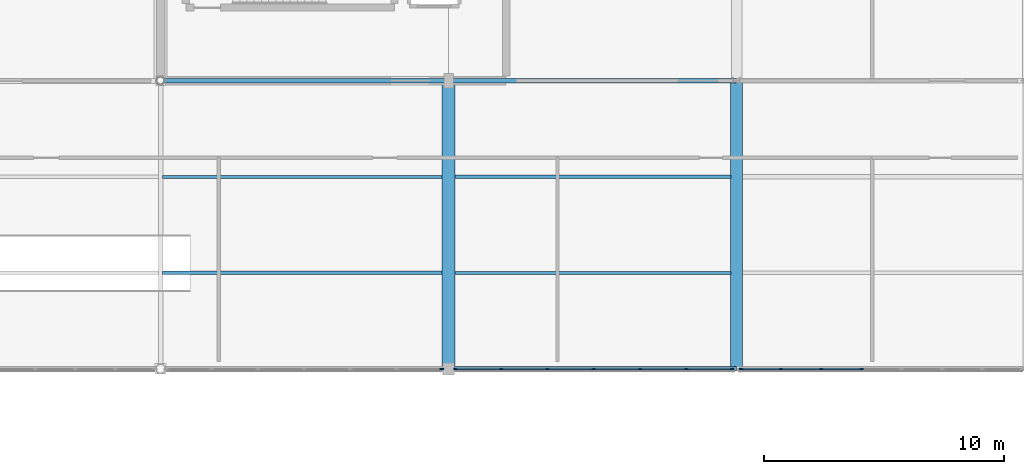
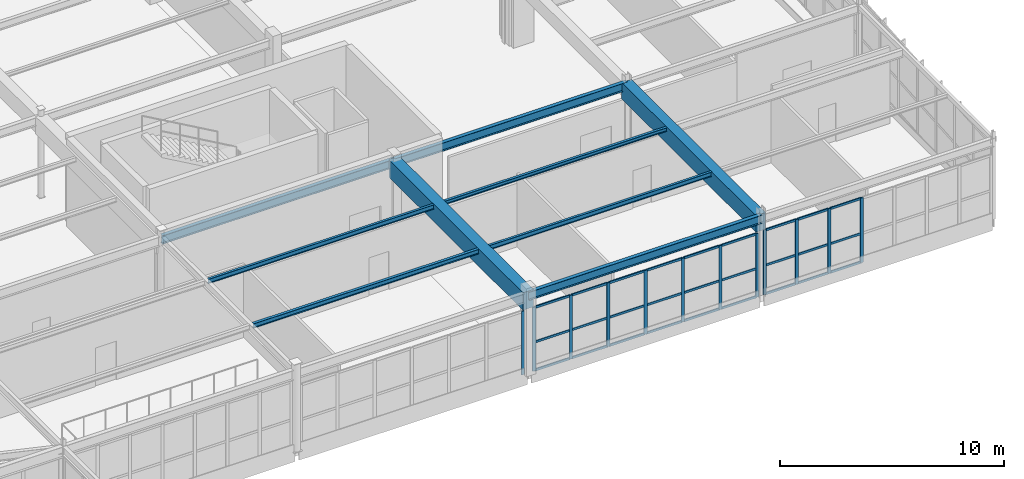
# One storey, part 123 of 226: 39 members, 9 beams, 3 elements without a shape of their own.
"""IFC4 building model written with IfcOpenShell, lengths in metres."""

import ifcopenshell
import ifcopenshell.guid

model = None  # the IFC model being written
_history = None  # IfcOwnerHistory: only IFC2X3 demands one
_inside = {}  # id of a spatial element -> (the spatial element, [elements in it])
_under = {}  # id of a project, library or spatial element -> (it, [spatial elements below it])
_declared = {}  # id of a project -> (the project, [libraries it declares])
_typed = {}  # id of a type object -> (the type object, [elements of that type])
_made_of = {}  # id of a material, layer set ... -> (it, [elements and type objects made of it])


def new_model(schema):
    """Start an empty IFC model of exactly this schema.

    Asked for "IFC4X3", IfcOpenShell would pick the latest addendum, in which some entities
    have other attributes; the version numbers below select the first issue.
    IFC2X3 requires an IfcOwnerHistory on every rooted entity: one is made here for all.
    """
    global model, _history
    if schema == "IFC4X3":
        model = ifcopenshell.file(schema_version=(4, 3, 0, 0))
    else:
        model = ifcopenshell.file(schema=schema)
    _inside.clear()
    _under.clear()
    _declared.clear()
    _typed.clear()
    _made_of.clear()
    _history = None
    if model.schema == "IFC2X3":
        org = make("IfcOrganization", Name="unknown")
        user = make(
            "IfcPersonAndOrganization",
            ThePerson=make("IfcPerson", FamilyName="unknown"),
            TheOrganization=org,
        )
        app = make(
            "IfcApplication",
            ApplicationDeveloper=org,
            Version="unknown",
            ApplicationFullName="unknown",
            ApplicationIdentifier="unknown",
        )
        _history = make(
            "IfcOwnerHistory",
            OwningUser=user,
            OwningApplication=app,
            ChangeAction="ADDED",
            CreationDate=0,
        )
    return model


def make(cls, **values):
    """One entity of the class cls with the attributes given. An attribute that is None is left unset."""
    return model.create_entity(
        cls, **{name: value for name, value in values.items() if value is not None}
    )


def rooted(cls, **values):
    """An entity with a GlobalId (a new one), such as an element, a storey or a relation."""
    return make(cls, GlobalId=ifcopenshell.guid.new(), OwnerHistory=_history, **values)


def si_unit(unit_type, name, prefix=None):
    """IfcSIUnit, for example si_unit("LENGTHUNIT", "METRE", prefix="MILLI")."""
    return make("IfcSIUnit", UnitType=unit_type, Prefix=prefix, Name=name)


def assignment(units):
    """IfcUnitAssignment: the units of a project."""
    return None if units is None else make("IfcUnitAssignment", Units=units)


def point(xyz):
    """IfcCartesianPoint."""
    return None if xyz is None else make("IfcCartesianPoint", Coordinates=xyz)


def direction(xyz):
    """IfcDirection."""
    return None if xyz is None else make("IfcDirection", DirectionRatios=xyz)


def frame(location, z_axis=None, x_axis=None):
    """IfcAxis2Placement3D, a coordinate frame: its origin and axes. An axis left out is left unset."""
    return make(
        "IfcAxis2Placement3D",
        Location=point(location),
        Axis=direction(z_axis),
        RefDirection=direction(x_axis),
    )


def frame_2d(location, x_axis=None):
    """IfcAxis2Placement2D, a coordinate frame in the plane: its origin and x axis."""
    return make(
        "IfcAxis2Placement2D", Location=point(location), RefDirection=direction(x_axis)
    )


def origin():
    """The frame at (0, 0, 0) with its axes left unset."""
    return frame((0.0, 0.0, 0.0))


def origin_2d():
    """The frame at (0, 0) in the plane with its x axis left unset."""
    return frame_2d((0.0, 0.0))


def place(relative_to, where):
    """IfcLocalPlacement: puts the frame where relative to a parent placement (None: the world)."""
    return make(
        "IfcLocalPlacement", PlacementRelTo=relative_to, RelativePlacement=where
    )


def context(
    kind, dimensions, precision=None, world=None, true_north=None, identifier=None
):
    """IfcGeometricRepresentationContext, for example the 3D "Model" context."""
    return make(
        "IfcGeometricRepresentationContext",
        ContextIdentifier=identifier,
        ContextType=kind,
        CoordinateSpaceDimension=dimensions,
        Precision=precision,
        WorldCoordinateSystem=world,
        TrueNorth=true_north,
    )


def subcontext(parent, identifier, kind, view, scale=None):
    """IfcGeometricRepresentationSubContext, for example "Body" below "Model"."""
    return make(
        "IfcGeometricRepresentationSubContext",
        ContextIdentifier=identifier,
        ContextType=kind,
        ParentContext=parent,
        TargetScale=scale,
        TargetView=view,
    )


def project(units=None, contexts=None):
    """IfcProject with its units and contexts."""
    return rooted(
        "IfcProject",
        Name="project",
        RepresentationContexts=contexts,
        UnitsInContext=assignment(units),
    )


def spatial(cls, under=None, at=None, **own):
    """A site, building, storey or space (cls), placed at a placement, below another one or the project."""
    s = rooted(cls, ObjectPlacement=at, **own)
    if under is not None:
        _under.setdefault(under.id(), (under, []))[1].append(s)
    return s


def profile(cls, at=None, kind="AREA", **sizes):
    """A parametric profile (cls). Its sizes go by their IFC names, for example OverallWidth=200.0."""
    return make(cls, ProfileType=kind, Position=at, **sizes)


def rectangle(**sizes):
    """IfcRectangleProfileDef."""
    return profile("IfcRectangleProfileDef", **sizes)


def i_section(**sizes):
    """IfcIShapeProfileDef."""
    return profile("IfcIShapeProfileDef", **sizes)


def extrude(swept, where, along, depth):
    """IfcExtrudedAreaSolid: the profile swept, set in the frame where, extruded along a direction by depth."""
    return make(
        "IfcExtrudedAreaSolid",
        SweptArea=swept,
        Position=where,
        ExtrudedDirection=direction(along),
        Depth=depth,
    )


def shape(context_of_items, identifier, shape_type, items):
    """IfcShapeRepresentation: the items that make up one representation, for example the "Body"."""
    return make(
        "IfcShapeRepresentation",
        ContextOfItems=context_of_items,
        RepresentationIdentifier=identifier,
        RepresentationType=shape_type,
        Items=items,
    )


def material(Name=None, Category=None):
    """IfcMaterial."""
    return make("IfcMaterial", Name=Name, Category=Category)


def layer(
    of_material, thickness, ventilated=None, Name=None, Category=None, Priority=None
):
    """IfcMaterialLayer: one layer of a wall or slab, of a material (None: an air gap)."""
    return make(
        "IfcMaterialLayer",
        Material=of_material,
        LayerThickness=thickness,
        IsVentilated=ventilated,
        Name=Name,
        Category=Category,
        Priority=Priority,
    )


def layer_set(layers, Name=None):
    """IfcMaterialLayerSet."""
    return make("IfcMaterialLayerSet", MaterialLayers=layers, LayerSetName=Name)


def material_profile(
    of_material, cross_section, Name=None, Category=None, Priority=None
):
    """IfcMaterialProfile: a cross section and its material."""
    return make(
        "IfcMaterialProfile",
        Name=Name,
        Material=of_material,
        Profile=cross_section,
        Priority=Priority,
        Category=Category,
    )


def profile_set(profiles, Name=None, composite=None):
    """IfcMaterialProfileSet."""
    return make(
        "IfcMaterialProfileSet",
        Name=Name,
        MaterialProfiles=profiles,
        CompositeProfile=composite,
    )


def made_of(thing, what):
    """Note that an element or type object is made of a material, layer set ...; save() writes the relation."""
    if what is not None:
        _made_of.setdefault(what.id(), (what, []))[1].append(thing)
    return thing


def type_object(cls, material=None, **own):
    """A type object (cls), such as IfcWallType, which elements share."""
    return made_of(rooted(cls, **own), material)


def element(
    cls,
    number,
    at=None,
    inside=None,
    cuts=None,
    type_object=None,
    material=None,
    context=None,
    identifier="Body",
    shape_type=None,
    held_by="IfcProductDefinitionShape",
    body=None,
    shapes=None,
    **own,
):
    """One element of the class cls, such as IfcWall. Its Tag is "e" and its number.

    at: its placement. inside: the storey or other place that contains it. cuts: it is an
    opening in that element (IfcRelVoidsElement). A single representation is given by context,
    identifier, shape_type and body (its items); several are given by shapes. held_by: the class
    of the entity that holds the representations. save() writes the other relations.
    """
    e = rooted(cls, Tag="e%d" % number, ObjectPlacement=at, **own)
    if body is not None:
        shapes = [shape(context, identifier, shape_type, body)]
    if shapes is not None:
        e.Representation = make(held_by, Representations=shapes)
    if inside is not None:
        _inside.setdefault(inside.id(), (inside, []))[1].append(e)
    if cuts is not None:
        rooted(
            "IfcRelVoidsElement", RelatingBuildingElement=cuts, RelatedOpeningElement=e
        )
    if type_object is not None:
        _typed.setdefault(type_object.id(), (type_object, []))[1].append(e)
    return made_of(e, material)


def aggregate(whole, parts):
    """IfcRelAggregates: a whole, such as a stair, and the parts it consists of."""
    return rooted("IfcRelAggregates", RelatingObject=whole, RelatedObjects=parts)


def save(model, path):
    """Write the relations noted so far, then the file.

    IfcRelAggregates (storeys below a building ...), IfcRelContainedInSpatialStructure (elements
    in a storey), IfcRelDefinesByType, IfcRelAssociatesMaterial and IfcRelDeclares: one each for
    every whole, place, type object, material and project.
    """
    for whole, parts in _under.values():
        aggregate(whole, parts)
    for where, things in _inside.values():
        rooted(
            "IfcRelContainedInSpatialStructure",
            RelatedElements=things,
            RelatingStructure=where,
        )
    for kind, things in _typed.values():
        rooted("IfcRelDefinesByType", RelatedObjects=things, RelatingType=kind)
    for what, things in _made_of.values():
        rooted("IfcRelAssociatesMaterial", RelatedObjects=things, RelatingMaterial=what)
    for by, libraries in _declared.values():
        rooted("IfcRelDeclares", RelatingContext=by, RelatedDefinitions=libraries)
    model.write(path)


model = new_model("IFC4")

# Units and contexts
model_context = context("Model", 3, precision=1e-05, world=origin(), true_north=direction((0.0, 1.0)))
body_context = subcontext(model_context, "Body", "Model", "MODEL_VIEW")
ifc_project = project(units=[si_unit("LENGTHUNIT", "METRE"), si_unit("AREAUNIT", "SQUARE_METRE"), si_unit("VOLUMEUNIT", "CUBIC_METRE"), si_unit("PLANEANGLEUNIT", "RADIAN"), si_unit("MASSUNIT", "GRAM", prefix="KILO")], contexts=[model_context])

# Site, building, storey
site_placement = place(None, origin())
site = spatial("IfcSite", under=ifc_project, at=site_placement, CompositionType="ELEMENT")
building_placement = place(site_placement, origin())
building = spatial("IfcBuilding", under=site, at=building_placement, Name="Tarnwether General Hospital", CompositionType="ELEMENT")
storey_placement = place(building_placement, frame((0.0, 0.0, 4.800048828125)))
storey = spatial("IfcBuildingStorey", under=building, at=storey_placement, Name="L01", CompositionType="ELEMENT", Elevation=4.800048828125)

# Beams
ifc_material_1 = material(Name="Steel Grade 350 (350 MPa)", Category="steel")
ifc_material_profile_1 = material_profile(ifc_material_1, i_section(OverallWidth=0.19091796875, OverallDepth=0.4599609375, WebThickness=0.010009765625, FlangeThickness=0.01611328125, at=origin_2d()), Name="460UB82.1")
ifc_profile_set_1 = profile_set([ifc_material_profile_1], Name="Steel Grade 350 (350 MPa)")
beam_type_1 = type_object("IfcBeamType", Name="BM-G08", PredefinedType="BEAM", material=ifc_profile_set_1)
for number, where, z_axis, x_axis, name in (
    (1, (156.0, 93.60009765625, 4.21484375), (1.0, 0.0, 0.0), (0.0, 1.0, 0.0), "Primary Girder BMG-L01-15600_9360-16800_9360-1242"),
    (2, (168.0, 81.60009765625, 4.21484375), (1.0, 0.0, 0.0), (0.0, 1.0, 0.0), "Primary Girder BMG-L01-16800_8160-18000_8160-1257"),
):
    element("IfcBeam", number, at=place(storey_placement, frame(where, z_axis=z_axis, x_axis=x_axis)), inside=storey, type_object=beam_type_1, Name=name, PredefinedType="BEAM", context=body_context, shape_type="SweptSolid", body=[
        extrude(i_section(OverallWidth=0.19091796875, OverallDepth=0.4599609375, WebThickness=0.010009765625, FlangeThickness=0.01611328125, at=origin_2d()), origin(), (0.0, 0.0, 1.0), 12.0),
    ])
ifc_material_2 = material(Name="Steel Grade 350 (350 MPa)", Category="steel")
ifc_material_profile_2 = material_profile(ifc_material_2, i_section(OverallWidth=0.18994140625, OverallDepth=0.45703125, WebThickness=0.009033203125, FlangeThickness=0.014404296875, at=origin_2d()), Name="460UB74.6")
ifc_profile_set_2 = profile_set([ifc_material_profile_2], Name="Steel Grade 350 (350 MPa)")
beam_type_2 = type_object("IfcBeamType", Name="BM-G09", PredefinedType="BEAM", material=ifc_profile_set_2)
beam_1_placement = place(storey_placement, frame((168.0, 93.60009765625, 4.216552734375), z_axis=(1.0, 0.0, 0.0), x_axis=(0.0, 1.0, 0.0)))
element("IfcBeam", 3, at=beam_1_placement, inside=storey, type_object=beam_type_2, Name="Primary Girder BMG-L01-16800_9360-18000_9360-1259", PredefinedType="BEAM", context=body_context, shape_type="SweptSolid", body=[
    extrude(i_section(OverallWidth=0.18994140625, OverallDepth=0.45703125, WebThickness=0.009033203125, FlangeThickness=0.014404296875, at=origin_2d()), origin(), (0.0, 0.0, 1.0), 12.0),
])
ifc_material_3 = material(Name="Concrete 40 MPa", Category="concrete")
ifc_material_profile_3 = material_profile(ifc_material_3, rectangle(XDim=0.550048828125, YDim=0.949951171875, at=origin_2d()), Name="RC-BM-550x950")
ifc_profile_set_3 = profile_set([ifc_material_profile_3], Name="Concrete 40 MPa")
beam_type_3 = type_object("IfcBeamType", Name="BM-G11", PredefinedType="BEAM", material=ifc_profile_set_3)
beam_2_placement = place(storey_placement, frame((168.0, 81.60009765625, 3.969970703125), z_axis=(0.0, 1.0, 0.0), x_axis=(-1.0, 0.0, 0.0)))
element("IfcBeam", 4, at=beam_2_placement, inside=storey, type_object=beam_type_3, Name="Primary Girder BMG-L01-16800_8160-16800_9360-1258", PredefinedType="BEAM", context=body_context, shape_type="SweptSolid", body=[
    extrude(rectangle(XDim=0.550048828125, YDim=0.949951171875, at=origin_2d()), origin(), (0.0, 0.0, 1.0), 12.0),
])
ifc_material_4 = material(Name="Concrete 40 MPa", Category="concrete")
ifc_material_profile_4 = material_profile(ifc_material_4, rectangle(XDim=0.5, YDim=0.89990234375, at=origin_2d()), Name="RC-BM-500x900")
ifc_profile_set_4 = profile_set([ifc_material_profile_4], Name="Concrete 40 MPa")
beam_type_4 = type_object("IfcBeamType", Name="BM-G12", PredefinedType="BEAM", material=ifc_profile_set_4)
beam_3_placement = place(storey_placement, frame((180.0, 81.60009765625, 3.994873046875), z_axis=(0.0, 1.0, 0.0), x_axis=(-1.0, 0.0, 0.0)))
element("IfcBeam", 5, at=beam_3_placement, inside=storey, type_object=beam_type_4, Name="Primary Girder BMG-L01-18000_8160-18000_9360-1275", PredefinedType="BEAM", context=body_context, shape_type="SweptSolid", body=[
    extrude(rectangle(XDim=0.5, YDim=0.89990234375, at=origin_2d()), origin(), (0.0, 0.0, 1.0), 12.0),
])
ifc_material_5 = material(Name="Steel Grade 350 (350 MPa)", Category="steel")
ifc_material_profile_5 = material_profile(ifc_material_5, i_section(OverallWidth=0.14599609375, OverallDepth=0.251953125, WebThickness=0.006103515625, FlangeThickness=0.008544921875, at=origin_2d()), Name="250UB31.4")
ifc_profile_set_5 = profile_set([ifc_material_profile_5], Name="Steel Grade 350 (350 MPa)")
beam_type_5 = type_object("IfcBeamType", Name="BM-J10", PredefinedType="JOIST", material=ifc_profile_set_5)
beam_4_placement = place(storey_placement, frame((156.089111328125, 85.60009765625, 4.31884765625), z_axis=(1.0, 0.0, 0.0), x_axis=(0.0, 1.0, 0.0)))
element("IfcBeam", 6, at=beam_4_placement, inside=storey, type_object=beam_type_5, Name="Composite Floor Joist BMG-L01-15609_8560-16773_8560-1407", PredefinedType="JOIST", context=body_context, shape_type="SweptSolid", body=[
    extrude(i_section(OverallWidth=0.14599609375, OverallDepth=0.251953125, WebThickness=0.006103515625, FlangeThickness=0.008544921875, at=origin_2d()), origin(), (0.0, 0.0, 1.0), 11.641845703125),
])
ifc_material_6 = material(Name="Steel Grade 350 (350 MPa)", Category="steel")
ifc_material_profile_6 = material_profile(ifc_material_6, i_section(OverallWidth=0.1240234375, OverallDepth=0.248046875, WebThickness=0.0048828125, FlangeThickness=0.008056640625, at=origin_2d()), Name="250UB25.7")
ifc_profile_set_6 = profile_set([ifc_material_profile_6], Name="Steel Grade 350 (350 MPa)")
beam_type_6 = type_object("IfcBeamType", Name="BM-J11", PredefinedType="JOIST", material=ifc_profile_set_6)
beam_5_placement = place(storey_placement, frame((156.089111328125, 89.60009765625, 4.321044921875), z_axis=(1.0, 0.0, 0.0), x_axis=(0.0, 1.0, 0.0)))
element("IfcBeam", 7, at=beam_5_placement, inside=storey, type_object=beam_type_6, Name="Composite Floor Joist BMG-L01-15609_8960-16773_8960-1408", PredefinedType="JOIST", context=body_context, shape_type="SweptSolid", body=[
    extrude(i_section(OverallWidth=0.1240234375, OverallDepth=0.248046875, WebThickness=0.0048828125, FlangeThickness=0.008056640625, at=origin_2d()), origin(), (0.0, 0.0, 1.0), 11.641845703125),
])
beam_6_placement = place(storey_placement, frame((168.26904296875, 85.60009765625, 4.321044921875), z_axis=(1.0, 0.0, 0.0), x_axis=(0.0, 1.0, 0.0)))
element("IfcBeam", 8, at=beam_6_placement, inside=storey, type_object=beam_type_6, Name="Composite Floor Joist BMG-L01-16827_8560-17976_8560-1419", PredefinedType="JOIST", context=body_context, shape_type="SweptSolid", body=[
    extrude(i_section(OverallWidth=0.1240234375, OverallDepth=0.248046875, WebThickness=0.0048828125, FlangeThickness=0.008056640625, at=origin_2d()), origin(), (0.0, 0.0, 1.0), 11.487060546875),
])
ifc_material_7 = material(Name="Steel Grade 350 (350 MPa)", Category="steel")
ifc_material_profile_7 = material_profile(ifc_material_7, i_section(OverallWidth=0.134033203125, OverallDepth=0.20703125, WebThickness=0.00634765625, FlangeThickness=0.009521484375, at=origin_2d()), Name="200UB29.8")
ifc_profile_set_7 = profile_set([ifc_material_profile_7], Name="Steel Grade 350 (350 MPa)")
beam_type_7 = type_object("IfcBeamType", Name="BM-J12", PredefinedType="JOIST", material=ifc_profile_set_7)
beam_7_placement = place(storey_placement, frame((168.26904296875, 89.60009765625, 4.341552734375), z_axis=(1.0, 0.0, 0.0), x_axis=(0.0, 1.0, 0.0)))
element("IfcBeam", 9, at=beam_7_placement, inside=storey, type_object=beam_type_7, Name="Composite Floor Joist BMG-L01-16827_8960-17976_8960-1420", PredefinedType="JOIST", context=body_context, shape_type="SweptSolid", body=[
    extrude(i_section(OverallWidth=0.134033203125, OverallDepth=0.20703125, WebThickness=0.00634765625, FlangeThickness=0.009521484375, at=origin_2d()), origin(), (0.0, 0.0, 1.0), 11.487060546875),
])

# Curtain wall, members
ifc_material_8 = material(Name="Anodised aluminium", Category="aluminium")
ifc_layer = layer(ifc_material_8, 0.159912109375)
ifc_layer_set = layer_set([ifc_layer], Name="Anodised aluminium")
curtain_wall_type = type_object("IfcCurtainWallType", Name="CW-17", PredefinedType="NOTDEFINED", material=ifc_layer_set)
curtain_wall_1_placement = place(storey_placement, origin())
curtain_wall_1 = element("IfcCurtainWall", 10, at=curtain_wall_1_placement, inside=storey, type_object=curtain_wall_type, Name="Curtain Wall CWG-L01-1919_816-0393", PredefinedType="NOTDEFINED")
ifc_material_9 = material(Name="Anodised aluminium", Category="aluminium")
ifc_material_profile_8 = material_profile(ifc_material_9, rectangle(XDim=0.06005859375, YDim=0.159912109375, at=origin_2d()), Name="ALU-MUL-60x160")
ifc_profile_set_8 = profile_set([ifc_material_profile_8], Name="Anodised aluminium")
member_type_1 = type_object("IfcMemberType", Name="CW-ML1", PredefinedType="MULLION", material=ifc_profile_set_8)
member_1_placement = place(storey_placement, frame((185.20166015625, 81.60009765625, 0.0), z_axis=(0.0, 0.0, 1.0), x_axis=(0.0, -1.0, 0.0)))
member_1 = element("IfcMember", 11, at=member_1_placement, type_object=member_type_1, Name="CW-17 mullion 5", PredefinedType="MULLION", context=body_context, shape_type="SweptSolid", body=[
    extrude(rectangle(XDim=0.06005859375, YDim=0.159912109375, at=origin_2d()), origin(), (0.0, 0.0, 1.0), 3.530029296875),
])
member_2_placement = place(storey_placement, frame((183.523193359375, 81.60009765625, 0.0), z_axis=(0.0, 0.0, 1.0), x_axis=(0.0, -1.0, 0.0)))
member_2 = element("IfcMember", 12, at=member_2_placement, type_object=member_type_1, Name="CW-17 mullion 6", PredefinedType="MULLION", context=body_context, shape_type="SweptSolid", body=[
    extrude(rectangle(XDim=0.06005859375, YDim=0.159912109375, at=origin_2d()), origin(), (0.0, 0.0, 1.0), 3.530029296875),
])
member_3_placement = place(storey_placement, frame((181.844482421875, 81.60009765625, 0.0), z_axis=(0.0, 0.0, 1.0), x_axis=(0.0, -1.0, 0.0)))
member_3 = element("IfcMember", 13, at=member_3_placement, type_object=member_type_1, Name="CW-17 mullion 7", PredefinedType="MULLION", context=body_context, shape_type="SweptSolid", body=[
    extrude(rectangle(XDim=0.06005859375, YDim=0.159912109375, at=origin_2d()), origin(), (0.0, 0.0, 1.0), 3.530029296875),
])
member_4_placement = place(storey_placement, frame((180.196044921875, 81.60009765625, 0.0), z_axis=(0.0, 0.0, 1.0), x_axis=(0.0, -1.0, 0.0)))
member_4 = element("IfcMember", 14, at=member_4_placement, type_object=member_type_1, Name="CW-17 mullion 8", PredefinedType="MULLION", context=body_context, shape_type="SweptSolid", body=[
    extrude(rectangle(XDim=0.06005859375, YDim=0.159912109375, at=origin_2d()), origin(), (0.0, 0.0, 1.0), 3.530029296875),
])

curtain_wall_2_placement = place(storey_placement, origin())
curtain_wall_2 = element("IfcCurtainWall", 15, at=curtain_wall_2_placement, inside=storey, type_object=curtain_wall_type, Name="Curtain Wall CWG-L01-1798_816-0394", PredefinedType="NOTDEFINED")
member_5_placement = place(storey_placement, frame((179.803955078125, 81.60009765625, 0.0), z_axis=(0.0, 0.0, 1.0), x_axis=(0.0, -1.0, 0.0)))
member_5 = element("IfcMember", 16, at=member_5_placement, type_object=member_type_1, Name="CW-17 mullion 1", PredefinedType="MULLION", context=body_context, shape_type="SweptSolid", body=[
    extrude(rectangle(XDim=0.06005859375, YDim=0.159912109375, at=origin_2d()), origin(), (0.0, 0.0, 1.0), 3.47998046875),
])
member_6_placement = place(storey_placement, frame((177.90478515625, 81.60009765625, 0.0), z_axis=(0.0, 0.0, 1.0), x_axis=(0.0, -1.0, 0.0)))
member_6 = element("IfcMember", 17, at=member_6_placement, type_object=member_type_1, Name="CW-17 mullion 2", PredefinedType="MULLION", context=body_context, shape_type="SweptSolid", body=[
    extrude(rectangle(XDim=0.06005859375, YDim=0.159912109375, at=origin_2d()), origin(), (0.0, 0.0, 1.0), 3.47998046875),
])
member_7_placement = place(storey_placement, frame((175.975341796875, 81.60009765625, 0.0), z_axis=(0.0, 0.0, 1.0), x_axis=(0.0, -1.0, 0.0)))
member_7 = element("IfcMember", 18, at=member_7_placement, type_object=member_type_1, Name="CW-17 mullion 3", PredefinedType="MULLION", context=body_context, shape_type="SweptSolid", body=[
    extrude(rectangle(XDim=0.06005859375, YDim=0.159912109375, at=origin_2d()), origin(), (0.0, 0.0, 1.0), 3.47998046875),
])
member_8_placement = place(storey_placement, frame((174.0458984375, 81.60009765625, 0.0), z_axis=(0.0, 0.0, 1.0), x_axis=(0.0, -1.0, 0.0)))
member_8 = element("IfcMember", 19, at=member_8_placement, type_object=member_type_1, Name="CW-17 mullion 4", PredefinedType="MULLION", context=body_context, shape_type="SweptSolid", body=[
    extrude(rectangle(XDim=0.06005859375, YDim=0.159912109375, at=origin_2d()), origin(), (0.0, 0.0, 1.0), 3.47998046875),
])
member_9_placement = place(storey_placement, frame((172.11669921875, 81.60009765625, 0.0), z_axis=(0.0, 0.0, 1.0), x_axis=(0.0, -1.0, 0.0)))
member_9 = element("IfcMember", 20, at=member_9_placement, type_object=member_type_1, Name="CW-17 mullion 5", PredefinedType="MULLION", context=body_context, shape_type="SweptSolid", body=[
    extrude(rectangle(XDim=0.06005859375, YDim=0.159912109375, at=origin_2d()), origin(), (0.0, 0.0, 1.0), 3.47998046875),
])
member_10_placement = place(storey_placement, frame((170.187255859375, 81.60009765625, 0.0), z_axis=(0.0, 0.0, 1.0), x_axis=(0.0, -1.0, 0.0)))
member_10 = element("IfcMember", 21, at=member_10_placement, type_object=member_type_1, Name="CW-17 mullion 6", PredefinedType="MULLION", context=body_context, shape_type="SweptSolid", body=[
    extrude(rectangle(XDim=0.06005859375, YDim=0.159912109375, at=origin_2d()), origin(), (0.0, 0.0, 1.0), 3.47998046875),
])
member_11_placement = place(storey_placement, frame((168.2880859375, 81.60009765625, 0.0), z_axis=(0.0, 0.0, 1.0), x_axis=(0.0, -1.0, 0.0)))
member_11 = element("IfcMember", 22, at=member_11_placement, type_object=member_type_1, Name="CW-17 mullion 7", PredefinedType="MULLION", context=body_context, shape_type="SweptSolid", body=[
    extrude(rectangle(XDim=0.06005859375, YDim=0.159912109375, at=origin_2d()), origin(), (0.0, 0.0, 1.0), 3.47998046875),
])

# Curtain wall, member
curtain_wall_3_placement = place(storey_placement, origin())
curtain_wall_3 = element("IfcCurtainWall", 23, at=curtain_wall_3_placement, inside=storey, type_object=curtain_wall_type, Name="Curtain Wall CWG-L01-1677_816-0395", PredefinedType="NOTDEFINED")
member_12_placement = place(storey_placement, frame((167.7119140625, 81.60009765625, 0.0), z_axis=(0.0, 0.0, 1.0), x_axis=(0.0, -1.0, 0.0)))
member_12 = element("IfcMember", 24, at=member_12_placement, type_object=member_type_1, Name="CW-17 mullion 1", PredefinedType="MULLION", context=body_context, shape_type="SweptSolid", body=[
    extrude(rectangle(XDim=0.06005859375, YDim=0.159912109375, at=origin_2d()), origin(), (0.0, 0.0, 1.0), 3.47998046875),
])
aggregate(curtain_wall_3, [member_12])

# Member
ifc_material_10 = material(Name="Anodised aluminium", Category="aluminium")
ifc_material_profile_9 = material_profile(ifc_material_10, rectangle(XDim=0.06005859375, YDim=0.1201171875, at=origin_2d()), Name="ALU-TRN-60x120")
ifc_profile_set_9 = profile_set([ifc_material_profile_9], Name="Anodised aluminium")
member_type_2 = type_object("IfcMemberType", Name="CW-TR1", PredefinedType="USERDEFINED", material=ifc_profile_set_9)
member_13_placement = place(storey_placement, frame((185.171630859375, 81.60009765625, 0.030029296875), z_axis=(-1.0, 0.0, 0.0), x_axis=(0.0, -1.0, 0.0)))
member_13 = element("IfcMember", 25, at=member_13_placement, type_object=member_type_2, Name="CW-17 transom 5.1", ObjectType="TRANSOM", PredefinedType="USERDEFINED", context=body_context, shape_type="SweptSolid", body=[
    extrude(rectangle(XDim=0.06005859375, YDim=0.1201171875, at=origin_2d()), origin(), (0.0, 0.0, 1.0), 1.618408203125),
])

member_14_placement = place(storey_placement, frame((185.171630859375, 81.60009765625, 1.58837890625), z_axis=(-1.0, 0.0, 0.0), x_axis=(0.0, -1.0, 0.0)))
member_14 = element("IfcMember", 26, at=member_14_placement, type_object=member_type_2, Name="CW-17 transom 5.2", ObjectType="TRANSOM", PredefinedType="USERDEFINED", context=body_context, shape_type="SweptSolid", body=[
    extrude(rectangle(XDim=0.06005859375, YDim=0.1201171875, at=origin_2d()), origin(), (0.0, 0.0, 1.0), 1.618408203125),
])

member_15_placement = place(storey_placement, frame((185.171630859375, 81.60009765625, 3.5), z_axis=(-1.0, 0.0, 0.0), x_axis=(0.0, -1.0, 0.0)))
member_15 = element("IfcMember", 27, at=member_15_placement, type_object=member_type_2, Name="CW-17 transom 5.3", ObjectType="TRANSOM", PredefinedType="USERDEFINED", context=body_context, shape_type="SweptSolid", body=[
    extrude(rectangle(XDim=0.06005859375, YDim=0.1201171875, at=origin_2d()), origin(), (0.0, 0.0, 1.0), 1.618408203125),
])

member_16_placement = place(storey_placement, frame((183.4931640625, 81.60009765625, 0.030029296875), z_axis=(-1.0, 0.0, 0.0), x_axis=(0.0, -1.0, 0.0)))
member_16 = element("IfcMember", 28, at=member_16_placement, type_object=member_type_2, Name="CW-17 transom 6.1", ObjectType="TRANSOM", PredefinedType="USERDEFINED", context=body_context, shape_type="SweptSolid", body=[
    extrude(rectangle(XDim=0.06005859375, YDim=0.1201171875, at=origin_2d()), origin(), (0.0, 0.0, 1.0), 1.61865234375),
])

member_17_placement = place(storey_placement, frame((183.4931640625, 81.60009765625, 1.58837890625), z_axis=(-1.0, 0.0, 0.0), x_axis=(0.0, -1.0, 0.0)))
member_17 = element("IfcMember", 29, at=member_17_placement, type_object=member_type_2, Name="CW-17 transom 6.2", ObjectType="TRANSOM", PredefinedType="USERDEFINED", context=body_context, shape_type="SweptSolid", body=[
    extrude(rectangle(XDim=0.06005859375, YDim=0.1201171875, at=origin_2d()), origin(), (0.0, 0.0, 1.0), 1.61865234375),
])

member_18_placement = place(storey_placement, frame((183.4931640625, 81.60009765625, 3.5), z_axis=(-1.0, 0.0, 0.0), x_axis=(0.0, -1.0, 0.0)))
member_18 = element("IfcMember", 30, at=member_18_placement, type_object=member_type_2, Name="CW-17 transom 6.3", ObjectType="TRANSOM", PredefinedType="USERDEFINED", context=body_context, shape_type="SweptSolid", body=[
    extrude(rectangle(XDim=0.06005859375, YDim=0.1201171875, at=origin_2d()), origin(), (0.0, 0.0, 1.0), 1.61865234375),
])

member_19_placement = place(storey_placement, frame((181.814453125, 81.60009765625, 0.030029296875), z_axis=(-1.0, 0.0, 0.0), x_axis=(0.0, -1.0, 0.0)))
member_19 = element("IfcMember", 31, at=member_19_placement, type_object=member_type_2, Name="CW-17 transom 7.1", ObjectType="TRANSOM", PredefinedType="USERDEFINED", context=body_context, shape_type="SweptSolid", body=[
    extrude(rectangle(XDim=0.06005859375, YDim=0.1201171875, at=origin_2d()), origin(), (0.0, 0.0, 1.0), 1.58837890625),
])

member_20_placement = place(storey_placement, frame((181.814453125, 81.60009765625, 1.58837890625), z_axis=(-1.0, 0.0, 0.0), x_axis=(0.0, -1.0, 0.0)))
member_20 = element("IfcMember", 32, at=member_20_placement, type_object=member_type_2, Name="CW-17 transom 7.2", ObjectType="TRANSOM", PredefinedType="USERDEFINED", context=body_context, shape_type="SweptSolid", body=[
    extrude(rectangle(XDim=0.06005859375, YDim=0.1201171875, at=origin_2d()), origin(), (0.0, 0.0, 1.0), 1.58837890625),
])

member_21_placement = place(storey_placement, frame((181.814453125, 81.60009765625, 3.5), z_axis=(-1.0, 0.0, 0.0), x_axis=(0.0, -1.0, 0.0)))
member_21 = element("IfcMember", 33, at=member_21_placement, type_object=member_type_2, Name="CW-17 transom 7.3", ObjectType="TRANSOM", PredefinedType="USERDEFINED", context=body_context, shape_type="SweptSolid", body=[
    extrude(rectangle(XDim=0.06005859375, YDim=0.1201171875, at=origin_2d()), origin(), (0.0, 0.0, 1.0), 1.58837890625),
])

aggregate(curtain_wall_1, [member_1, member_2, member_3, member_4, member_13, member_14, member_15, member_16, member_17, member_18, member_19, member_20, member_21])

member_22_placement = place(storey_placement, frame((179.77392578125, 81.60009765625, 0.030029296875), z_axis=(-1.0, 0.0, 0.0), x_axis=(0.0, -1.0, 0.0)))
member_22 = element("IfcMember", 34, at=member_22_placement, type_object=member_type_2, Name="CW-17 transom 1.1", ObjectType="TRANSOM", PredefinedType="USERDEFINED", context=body_context, shape_type="SweptSolid", body=[
    extrude(rectangle(XDim=0.06005859375, YDim=0.1201171875, at=origin_2d()), origin(), (0.0, 0.0, 1.0), 1.83935546875),
])

member_23_placement = place(storey_placement, frame((179.77392578125, 81.60009765625, 1.56591796875), z_axis=(-1.0, 0.0, 0.0), x_axis=(0.0, -1.0, 0.0)))
member_23 = element("IfcMember", 35, at=member_23_placement, type_object=member_type_2, Name="CW-17 transom 1.2", ObjectType="TRANSOM", PredefinedType="USERDEFINED", context=body_context, shape_type="SweptSolid", body=[
    extrude(rectangle(XDim=0.06005859375, YDim=0.1201171875, at=origin_2d()), origin(), (0.0, 0.0, 1.0), 1.83935546875),
])

member_24_placement = place(storey_placement, frame((179.77392578125, 81.60009765625, 3.449951171875), z_axis=(-1.0, 0.0, 0.0), x_axis=(0.0, -1.0, 0.0)))
member_24 = element("IfcMember", 36, at=member_24_placement, type_object=member_type_2, Name="CW-17 transom 1.3", ObjectType="TRANSOM", PredefinedType="USERDEFINED", context=body_context, shape_type="SweptSolid", body=[
    extrude(rectangle(XDim=0.06005859375, YDim=0.1201171875, at=origin_2d()), origin(), (0.0, 0.0, 1.0), 1.83935546875),
])

member_25_placement = place(storey_placement, frame((177.874755859375, 81.60009765625, 0.030029296875), z_axis=(-1.0, 0.0, 0.0), x_axis=(0.0, -1.0, 0.0)))
member_25 = element("IfcMember", 37, at=member_25_placement, type_object=member_type_2, Name="CW-17 transom 2.1", ObjectType="TRANSOM", PredefinedType="USERDEFINED", context=body_context, shape_type="SweptSolid", body=[
    extrude(rectangle(XDim=0.06005859375, YDim=0.1201171875, at=origin_2d()), origin(), (0.0, 0.0, 1.0), 1.869384765625),
])

member_26_placement = place(storey_placement, frame((177.874755859375, 81.60009765625, 1.56591796875), z_axis=(-1.0, 0.0, 0.0), x_axis=(0.0, -1.0, 0.0)))
member_26 = element("IfcMember", 38, at=member_26_placement, type_object=member_type_2, Name="CW-17 transom 2.2", ObjectType="TRANSOM", PredefinedType="USERDEFINED", context=body_context, shape_type="SweptSolid", body=[
    extrude(rectangle(XDim=0.06005859375, YDim=0.1201171875, at=origin_2d()), origin(), (0.0, 0.0, 1.0), 1.869384765625),
])

member_27_placement = place(storey_placement, frame((177.874755859375, 81.60009765625, 3.449951171875), z_axis=(-1.0, 0.0, 0.0), x_axis=(0.0, -1.0, 0.0)))
member_27 = element("IfcMember", 39, at=member_27_placement, type_object=member_type_2, Name="CW-17 transom 2.3", ObjectType="TRANSOM", PredefinedType="USERDEFINED", context=body_context, shape_type="SweptSolid", body=[
    extrude(rectangle(XDim=0.06005859375, YDim=0.1201171875, at=origin_2d()), origin(), (0.0, 0.0, 1.0), 1.869384765625),
])

member_28_placement = place(storey_placement, frame((175.9453125, 81.60009765625, 0.030029296875), z_axis=(-1.0, 0.0, 0.0), x_axis=(0.0, -1.0, 0.0)))
member_28 = element("IfcMember", 40, at=member_28_placement, type_object=member_type_2, Name="CW-17 transom 3.1", ObjectType="TRANSOM", PredefinedType="USERDEFINED", context=body_context, shape_type="SweptSolid", body=[
    extrude(rectangle(XDim=0.06005859375, YDim=0.1201171875, at=origin_2d()), origin(), (0.0, 0.0, 1.0), 1.869384765625),
])

member_29_placement = place(storey_placement, frame((175.9453125, 81.60009765625, 1.56591796875), z_axis=(-1.0, 0.0, 0.0), x_axis=(0.0, -1.0, 0.0)))
member_29 = element("IfcMember", 41, at=member_29_placement, type_object=member_type_2, Name="CW-17 transom 3.2", ObjectType="TRANSOM", PredefinedType="USERDEFINED", context=body_context, shape_type="SweptSolid", body=[
    extrude(rectangle(XDim=0.06005859375, YDim=0.1201171875, at=origin_2d()), origin(), (0.0, 0.0, 1.0), 1.869384765625),
])

member_30_placement = place(storey_placement, frame((175.9453125, 81.60009765625, 3.449951171875), z_axis=(-1.0, 0.0, 0.0), x_axis=(0.0, -1.0, 0.0)))
member_30 = element("IfcMember", 42, at=member_30_placement, type_object=member_type_2, Name="CW-17 transom 3.3", ObjectType="TRANSOM", PredefinedType="USERDEFINED", context=body_context, shape_type="SweptSolid", body=[
    extrude(rectangle(XDim=0.06005859375, YDim=0.1201171875, at=origin_2d()), origin(), (0.0, 0.0, 1.0), 1.869384765625),
])

member_31_placement = place(storey_placement, frame((174.01611328125, 81.60009765625, 0.030029296875), z_axis=(-1.0, 0.0, 0.0), x_axis=(0.0, -1.0, 0.0)))
member_31 = element("IfcMember", 43, at=member_31_placement, type_object=member_type_2, Name="CW-17 transom 4.1", ObjectType="TRANSOM", PredefinedType="USERDEFINED", context=body_context, shape_type="SweptSolid", body=[
    extrude(rectangle(XDim=0.06005859375, YDim=0.1201171875, at=origin_2d()), origin(), (0.0, 0.0, 1.0), 1.869384765625),
])

member_32_placement = place(storey_placement, frame((174.01611328125, 81.60009765625, 1.56591796875), z_axis=(-1.0, 0.0, 0.0), x_axis=(0.0, -1.0, 0.0)))
member_32 = element("IfcMember", 44, at=member_32_placement, type_object=member_type_2, Name="CW-17 transom 4.2", ObjectType="TRANSOM", PredefinedType="USERDEFINED", context=body_context, shape_type="SweptSolid", body=[
    extrude(rectangle(XDim=0.06005859375, YDim=0.1201171875, at=origin_2d()), origin(), (0.0, 0.0, 1.0), 1.869384765625),
])

member_33_placement = place(storey_placement, frame((174.01611328125, 81.60009765625, 3.449951171875), z_axis=(-1.0, 0.0, 0.0), x_axis=(0.0, -1.0, 0.0)))
member_33 = element("IfcMember", 45, at=member_33_placement, type_object=member_type_2, Name="CW-17 transom 4.3", ObjectType="TRANSOM", PredefinedType="USERDEFINED", context=body_context, shape_type="SweptSolid", body=[
    extrude(rectangle(XDim=0.06005859375, YDim=0.1201171875, at=origin_2d()), origin(), (0.0, 0.0, 1.0), 1.869384765625),
])

member_34_placement = place(storey_placement, frame((172.086669921875, 81.60009765625, 0.030029296875), z_axis=(-1.0, 0.0, 0.0), x_axis=(0.0, -1.0, 0.0)))
member_34 = element("IfcMember", 46, at=member_34_placement, type_object=member_type_2, Name="CW-17 transom 5.1", ObjectType="TRANSOM", PredefinedType="USERDEFINED", context=body_context, shape_type="SweptSolid", body=[
    extrude(rectangle(XDim=0.06005859375, YDim=0.1201171875, at=origin_2d()), origin(), (0.0, 0.0, 1.0), 1.869384765625),
])

member_35_placement = place(storey_placement, frame((172.086669921875, 81.60009765625, 1.56591796875), z_axis=(-1.0, 0.0, 0.0), x_axis=(0.0, -1.0, 0.0)))
member_35 = element("IfcMember", 47, at=member_35_placement, type_object=member_type_2, Name="CW-17 transom 5.2", ObjectType="TRANSOM", PredefinedType="USERDEFINED", context=body_context, shape_type="SweptSolid", body=[
    extrude(rectangle(XDim=0.06005859375, YDim=0.1201171875, at=origin_2d()), origin(), (0.0, 0.0, 1.0), 1.869384765625),
])

member_36_placement = place(storey_placement, frame((172.086669921875, 81.60009765625, 3.449951171875), z_axis=(-1.0, 0.0, 0.0), x_axis=(0.0, -1.0, 0.0)))
member_36 = element("IfcMember", 48, at=member_36_placement, type_object=member_type_2, Name="CW-17 transom 5.3", ObjectType="TRANSOM", PredefinedType="USERDEFINED", context=body_context, shape_type="SweptSolid", body=[
    extrude(rectangle(XDim=0.06005859375, YDim=0.1201171875, at=origin_2d()), origin(), (0.0, 0.0, 1.0), 1.869384765625),
])

member_37_placement = place(storey_placement, frame((170.1572265625, 81.60009765625, 0.030029296875), z_axis=(-1.0, 0.0, 0.0), x_axis=(0.0, -1.0, 0.0)))
member_37 = element("IfcMember", 49, at=member_37_placement, type_object=member_type_2, Name="CW-17 transom 6.1", ObjectType="TRANSOM", PredefinedType="USERDEFINED", context=body_context, shape_type="SweptSolid", body=[
    extrude(rectangle(XDim=0.06005859375, YDim=0.1201171875, at=origin_2d()), origin(), (0.0, 0.0, 1.0), 1.839111328125),
])

member_38_placement = place(storey_placement, frame((170.1572265625, 81.60009765625, 1.56591796875), z_axis=(-1.0, 0.0, 0.0), x_axis=(0.0, -1.0, 0.0)))
member_38 = element("IfcMember", 50, at=member_38_placement, type_object=member_type_2, Name="CW-17 transom 6.2", ObjectType="TRANSOM", PredefinedType="USERDEFINED", context=body_context, shape_type="SweptSolid", body=[
    extrude(rectangle(XDim=0.06005859375, YDim=0.1201171875, at=origin_2d()), origin(), (0.0, 0.0, 1.0), 1.839111328125),
])

member_39_placement = place(storey_placement, frame((170.1572265625, 81.60009765625, 3.449951171875), z_axis=(-1.0, 0.0, 0.0), x_axis=(0.0, -1.0, 0.0)))
member_39 = element("IfcMember", 51, at=member_39_placement, type_object=member_type_2, Name="CW-17 transom 6.3", ObjectType="TRANSOM", PredefinedType="USERDEFINED", context=body_context, shape_type="SweptSolid", body=[
    extrude(rectangle(XDim=0.06005859375, YDim=0.1201171875, at=origin_2d()), origin(), (0.0, 0.0, 1.0), 1.839111328125),
])

aggregate(curtain_wall_2, [member_5, member_6, member_7, member_8, member_9, member_10, member_11, member_22, member_23, member_24, member_25, member_26, member_27, member_28, member_29, member_30, member_31, member_32, member_33, member_34, member_35, member_36, member_37, member_38, member_39])

save(model, "model.ifc")
